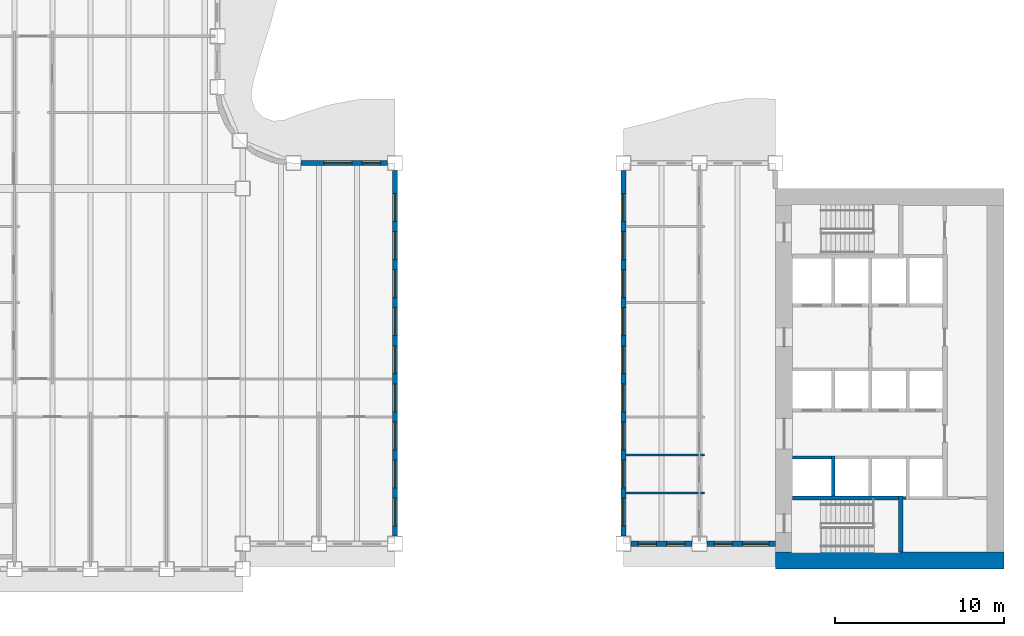
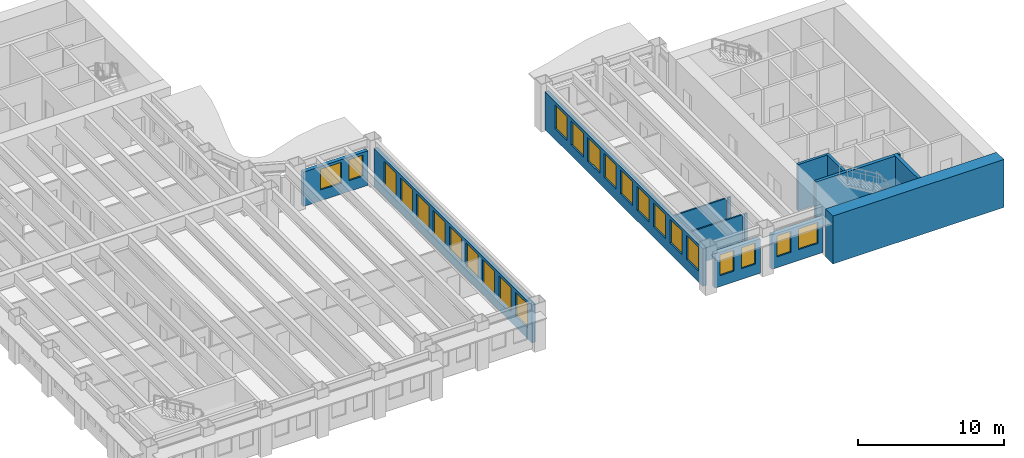
# One storey, part 5 of 13: 24 windows, 15 walls, 24 openings.
"""IFC4 building model written with IfcOpenShell, lengths in metres."""

from ifc_helpers import new_model, si_unit, direction, frame, frame_2d, origin, place, context, subcontext, project, spatial, rectangle, extrude, material, layer, layer_set, type_object, element, fill, save


model = new_model("IFC4")

# Units and contexts
model_context = context("Model", 3, precision=1e-05, world=origin(), true_north=direction((0.0, 1.0)))
body_context = subcontext(model_context, "Body", "Model", "MODEL_VIEW")
ifc_project = project(units=[si_unit("LENGTHUNIT", "METRE"), si_unit("AREAUNIT", "SQUARE_METRE"), si_unit("VOLUMEUNIT", "CUBIC_METRE"), si_unit("PLANEANGLEUNIT", "RADIAN"), si_unit("MASSUNIT", "GRAM", prefix="KILO")], contexts=[model_context])

# Site, building, storey
site_placement = place(None, origin())
site = spatial("IfcSite", under=ifc_project, at=site_placement, CompositionType="ELEMENT")
building_placement = place(site_placement, origin())
building = spatial("IfcBuilding", under=site, at=building_placement, Name="Sennacour Bend Tower", CompositionType="ELEMENT")
storey_placement = place(building_placement, frame((0.0, 0.0, 139.0)))
storey = spatial("IfcBuildingStorey", under=building, at=storey_placement, Name="L31", CompositionType="ELEMENT", Elevation=139.0)

# Walls
ifc_material_1 = material(Name="Concrete C60/75", Category="concrete")
ifc_layer_1 = layer(ifc_material_1, 1.0, Name="Concrete C60/75", Category="concrete")
ifc_layer_set_1 = layer_set([ifc_layer_1], Name="Concrete C60/75")
wall_type_1 = type_object("IfcWallType", Name="Core wall 1000 C60/75", PredefinedType="SHEAR", material=ifc_layer_set_1)
wall_1_placement = place(storey_placement, frame((67.5, 0.5, -0.14990234375), z_axis=(0.0, 0.0, 1.0), x_axis=(-1.0, 0.0, 0.0)))
element("IfcWall", 1, at=wall_1_placement, inside=storey, type_object=wall_type_1, Name="Core A wall L31 S", PredefinedType="SHEAR", context=body_context, shape_type="SweptSolid", body=[
    extrude(rectangle(XDim=13.5, YDim=1.0, at=frame_2d((6.75, 0.0))), origin(), (0.0, 0.0, 1.0), 4.0),
])
ifc_material_2 = material(Name="Plasterboard partition on steel studs", Category="steel")
ifc_layer_2 = layer(ifc_material_2, 0.1201171875, Name="Plasterboard partition on steel studs", Category="steel")
ifc_layer_set_2 = layer_set([ifc_layer_2], Name="Plasterboard partition on steel studs")
wall_type_2 = type_object("IfcWallType", Name="Partition 120", PredefinedType="PARTITIONING", material=ifc_layer_set_2)
wall_2_placement = place(storey_placement, frame((45.14990234375, 4.5, 0.0), z_axis=(0.0, 0.0, 1.0), x_axis=(1.0, 0.0, 0.0)))
element("IfcWall", 2, at=wall_2_placement, inside=storey, type_object=wall_type_2, Name="P-L31-W050aa", PredefinedType="PARTITIONING", context=body_context, shape_type="SweptSolid", body=[
    extrude(rectangle(XDim=4.2900390625, YDim=0.1201171875, at=frame_2d((2.14501953125, 0.0))), origin(), (0.0, 0.0, 1.0), 2.8701171875),
])
wall_3_placement = place(storey_placement, frame((49.56005859375, 4.5, 0.0), z_axis=(0.0, 0.0, 1.0), x_axis=(1.0, 0.0, 0.0)))
element("IfcWall", 3, at=wall_3_placement, inside=storey, type_object=wall_type_2, Name="P-L31-W050ab", PredefinedType="PARTITIONING", context=body_context, shape_type="SweptSolid", body=[
    extrude(rectangle(XDim=0.239990234375, YDim=0.1201171875, at=frame_2d((0.1201171875, 0.0))), origin(), (0.0, 0.0, 1.0), 2.8701171875),
])
wall_4_placement = place(storey_placement, frame((45.14990234375, 6.75, 0.0), z_axis=(0.0, 0.0, 1.0), x_axis=(1.0, 0.0, 0.0)))
element("IfcWall", 4, at=wall_4_placement, inside=storey, type_object=wall_type_2, Name="P-L31-W052aa", PredefinedType="PARTITIONING", context=body_context, shape_type="SweptSolid", body=[
    extrude(rectangle(XDim=4.2900390625, YDim=0.1201171875, at=frame_2d((2.14501953125, 0.0))), origin(), (0.0, 0.0, 1.0), 2.8701171875),
])
wall_5_placement = place(storey_placement, frame((49.56005859375, 6.75, 0.0), z_axis=(0.0, 0.0, 1.0), x_axis=(1.0, 0.0, 0.0)))
element("IfcWall", 5, at=wall_5_placement, inside=storey, type_object=wall_type_2, Name="P-L31-W052ab", PredefinedType="PARTITIONING", context=body_context, shape_type="SweptSolid", body=[
    extrude(rectangle(XDim=0.239990234375, YDim=0.1201171875, at=frame_2d((0.1201171875, 0.0))), origin(), (0.0, 0.0, 1.0), 2.8701171875),
])

# Wall, openings, windows
ifc_material_3 = material(Name="Warm limestone cladding", Category="masonry")
ifc_layer_3 = layer(ifc_material_3, 0.050048828125, Name="Warm limestone cladding", Category="masonry")
ifc_material_4 = material(Name="Precast concrete C40/50", Category="concrete")
ifc_layer_4 = layer(ifc_material_4, 0.25, Name="Precast concrete C40/50", Category="concrete")
ifc_layer_set_3 = layer_set([ifc_layer_3, ifc_layer_4], Name="Precast concrete C40/50 with limestone cladding")
wall_type_3 = type_object("IfcWallType", Name="STONE-CLAD PRECAST SPANDREL 300", PredefinedType="STANDARD", material=ifc_layer_set_3)
wall_6_placement = place(storey_placement, frame((45.449951171875, 1.5, 0.0), z_axis=(0.0, 0.0, 1.0), x_axis=(1.0, 0.0, 0.0)))
wall_6 = element("IfcWall", 6, at=wall_6_placement, inside=storey, type_object=wall_type_3, Name="Stone spandrel and pier wall L31 00.00", PredefinedType="STANDARD", context=body_context, shape_type="SweptSolid", body=[
    extrude(rectangle(XDim=3.60009765625, YDim=0.300048828125, at=frame_2d((1.800048828125, 0.0))), origin(), (0.0, 0.0, 1.0), 2.8701171875),
])
opening_1_placement = place(wall_6_placement, frame((0.39990234375, 0.0, 0.89990234375)))
opening_1 = element("IfcOpeningElement", 7, at=opening_1_placement, cuts=wall_6, Name="Opening W17", PredefinedType="OPENING", context=body_context, shape_type="SweptSolid", body=[
    extrude(rectangle(XDim=1.10009765625, YDim=1.75, at=frame_2d((0.550048828125, 0.875))), frame((0.0, 0.16015625, 0.0), z_axis=(0.0, -1.0, 0.0), x_axis=(1.0, 0.0, 0.0)), (0.0, 0.0, 1.0), 0.320068359375),
])
opening_2_placement = place(wall_6_placement, frame((2.10009765625, 0.0, 0.89990234375)))
opening_2 = element("IfcOpeningElement", 8, at=opening_2_placement, cuts=wall_6, Name="Opening W17", PredefinedType="OPENING", context=body_context, shape_type="SweptSolid", body=[
    extrude(rectangle(XDim=1.10009765625, YDim=1.75, at=frame_2d((0.550048828125, 0.875))), frame((0.0, 0.16015625, 0.0), z_axis=(0.0, -1.0, 0.0), x_axis=(1.0, 0.0, 0.0)), (0.0, 0.0, 1.0), 0.320068359375),
])
ifc_material_5 = material(Name="Clear low-emissivity glass", Category="glass")
window_type_1 = type_object("IfcWindowType", Name="WIN-RIBBON-1100x1750", PartitioningType="SINGLE_PANEL", PredefinedType="WINDOW", material=ifc_material_5)
window_1_placement = place(opening_1_placement, origin())
window_1 = element("IfcWindow", 9, at=window_1_placement, inside=storey, type_object=window_type_1, Name="Ribbon window L31 00.00.0", OverallHeight=1.75, OverallWidth=1.10009765625, PartitioningType="SINGLE_PANEL", PredefinedType="WINDOW", context=body_context, shape_type="SweptSolid", body=[
    extrude(rectangle(XDim=1.10009765625, YDim=1.75, at=frame_2d((0.550048828125, 0.875))), frame((0.0, 0.030029296875, 0.0), z_axis=(0.0, -1.0, 0.0), x_axis=(1.0, 0.0, 0.0)), (0.0, 0.0, 1.0), 0.06005859375),
])
fill(opening_1, window_1)
window_2_placement = place(opening_2_placement, origin())
window_2 = element("IfcWindow", 10, at=window_2_placement, inside=storey, type_object=window_type_1, Name="Ribbon window L31 00.00.1", OverallHeight=1.75, OverallWidth=1.10009765625, PartitioningType="SINGLE_PANEL", PredefinedType="WINDOW", context=body_context, shape_type="SweptSolid", body=[
    extrude(rectangle(XDim=1.10009765625, YDim=1.75, at=frame_2d((0.550048828125, 0.875))), frame((0.0, 0.030029296875, 0.0), z_axis=(0.0, -1.0, 0.0), x_axis=(1.0, 0.0, 0.0)), (0.0, 0.0, 1.0), 0.06005859375),
])
fill(opening_2, window_2)

wall_7_placement = place(storey_placement, frame((49.949951171875, 1.5, 0.0), z_axis=(0.0, 0.0, 1.0), x_axis=(1.0, 0.0, 0.0)))
wall_7 = element("IfcWall", 11, at=wall_7_placement, inside=storey, type_object=wall_type_3, Name="Stone spandrel and pier wall L31 00.01", PredefinedType="STANDARD", context=body_context, shape_type="SweptSolid", body=[
    extrude(rectangle(XDim=4.050048828125, YDim=0.300048828125, at=frame_2d((2.02490234375, 0.0))), origin(), (0.0, 0.0, 1.0), 2.8701171875),
])
opening_3_placement = place(wall_7_placement, frame((0.39990234375, 0.0, 0.89990234375)))
opening_3 = element("IfcOpeningElement", 12, at=opening_3_placement, cuts=wall_7, Name="Opening W17", PredefinedType="OPENING", context=body_context, shape_type="SweptSolid", body=[
    extrude(rectangle(XDim=1.10009765625, YDim=1.75, at=frame_2d((0.550048828125, 0.875))), frame((0.0, 0.16015625, 0.0), z_axis=(0.0, -1.0, 0.0), x_axis=(1.0, 0.0, 0.0)), (0.0, 0.0, 1.0), 0.320068359375),
])
opening_4_placement = place(wall_7_placement, frame((2.10009765625, 0.0, 0.89990234375)))
opening_4 = element("IfcOpeningElement", 13, at=opening_4_placement, cuts=wall_7, Name="Opening W12", PredefinedType="OPENING", context=body_context, shape_type="SweptSolid", body=[
    extrude(rectangle(XDim=1.550048828125, YDim=1.75, at=frame_2d((0.77490234375, 0.875))), frame((0.0, 0.16015625, 0.0), z_axis=(0.0, -1.0, 0.0), x_axis=(1.0, 0.0, 0.0)), (0.0, 0.0, 1.0), 0.320068359375),
])
window_3_placement = place(opening_3_placement, origin())
window_3 = element("IfcWindow", 14, at=window_3_placement, inside=storey, type_object=window_type_1, Name="Ribbon window L31 00.01.0", OverallHeight=1.75, OverallWidth=1.10009765625, PartitioningType="SINGLE_PANEL", PredefinedType="WINDOW", context=body_context, shape_type="SweptSolid", body=[
    extrude(rectangle(XDim=1.10009765625, YDim=1.75, at=frame_2d((0.550048828125, 0.875))), frame((0.0, 0.030029296875, 0.0), z_axis=(0.0, -1.0, 0.0), x_axis=(1.0, 0.0, 0.0)), (0.0, 0.0, 1.0), 0.06005859375),
])
fill(opening_3, window_3)
window_type_2 = type_object("IfcWindowType", Name="WIN-RIBBON-1550x1750", PartitioningType="SINGLE_PANEL", PredefinedType="WINDOW", material=ifc_material_5)
window_4_placement = place(opening_4_placement, origin())
window_4 = element("IfcWindow", 15, at=window_4_placement, inside=storey, type_object=window_type_2, Name="Ribbon window L31 00.01.1", OverallHeight=1.75, OverallWidth=1.550048828125, PartitioningType="SINGLE_PANEL", PredefinedType="WINDOW", context=body_context, shape_type="SweptSolid", body=[
    extrude(rectangle(XDim=1.550048828125, YDim=1.75, at=frame_2d((0.77490234375, 0.875))), frame((0.0, 0.030029296875, 0.0), z_axis=(0.0, -1.0, 0.0), x_axis=(1.0, 0.0, 0.0)), (0.0, 0.0, 1.0), 0.06005859375),
])
fill(opening_4, window_4)

wall_8_placement = place(storey_placement, frame((45.0, 23.550048828125, 0.0), z_axis=(0.0, 0.0, 1.0), x_axis=(0.0, -1.0, 0.0)))
wall_8 = element("IfcWall", 16, at=wall_8_placement, inside=storey, type_object=wall_type_3, Name="Stone spandrel and pier wall L31 07.00", PredefinedType="STANDARD", context=body_context, shape_type="SweptSolid", body=[
    extrude(rectangle(XDim=21.60009765625, YDim=0.300048828125, at=frame_2d((10.800048828125, 0.0))), origin(), (0.0, 0.0, 1.0), 3.14892578125),
])
opening_5_placement = place(wall_8_placement, frame((1.35009765625, 0.0, 0.89990234375)))
opening_5 = element("IfcOpeningElement", 17, at=opening_5_placement, cuts=wall_8, Name="Opening W10", PredefinedType="OPENING", context=body_context, shape_type="SweptSolid", body=[
    extrude(rectangle(XDim=1.64990234375, YDim=2.0, at=frame_2d((0.824951171875, 1.0))), frame((0.0, 0.16015625, 0.0), z_axis=(0.0, -1.0, 0.0), x_axis=(1.0, 0.0, 0.0)), (0.0, 0.0, 1.0), 0.320068359375),
])
opening_6_placement = place(wall_8_placement, frame((3.60009765625, 0.0, 0.89990234375)))
opening_6 = element("IfcOpeningElement", 18, at=opening_6_placement, cuts=wall_8, Name="Opening W10", PredefinedType="OPENING", context=body_context, shape_type="SweptSolid", body=[
    extrude(rectangle(XDim=1.64990234375, YDim=2.0, at=frame_2d((0.824951171875, 1.0))), frame((0.0, 0.16015625, 0.0), z_axis=(0.0, -1.0, 0.0), x_axis=(1.0, 0.0, 0.0)), (0.0, 0.0, 1.0), 0.320068359375),
])
opening_7_placement = place(wall_8_placement, frame((5.85009765625, 0.0, 0.89990234375)))
opening_7 = element("IfcOpeningElement", 19, at=opening_7_placement, cuts=wall_8, Name="Opening W10", PredefinedType="OPENING", context=body_context, shape_type="SweptSolid", body=[
    extrude(rectangle(XDim=1.64990234375, YDim=2.0, at=frame_2d((0.824951171875, 1.0))), frame((0.0, 0.16015625, 0.0), z_axis=(0.0, -1.0, 0.0), x_axis=(1.0, 0.0, 0.0)), (0.0, 0.0, 1.0), 0.320068359375),
])
opening_8_placement = place(wall_8_placement, frame((8.10009765625, 0.0, 0.89990234375)))
opening_8 = element("IfcOpeningElement", 20, at=opening_8_placement, cuts=wall_8, Name="Opening W10", PredefinedType="OPENING", context=body_context, shape_type="SweptSolid", body=[
    extrude(rectangle(XDim=1.64990234375, YDim=2.0, at=frame_2d((0.824951171875, 1.0))), frame((0.0, 0.16015625, 0.0), z_axis=(0.0, -1.0, 0.0), x_axis=(1.0, 0.0, 0.0)), (0.0, 0.0, 1.0), 0.320068359375),
])
opening_9_placement = place(wall_8_placement, frame((10.35009765625, 0.0, 0.89990234375)))
opening_9 = element("IfcOpeningElement", 21, at=opening_9_placement, cuts=wall_8, Name="Opening W10", PredefinedType="OPENING", context=body_context, shape_type="SweptSolid", body=[
    extrude(rectangle(XDim=1.64990234375, YDim=2.0, at=frame_2d((0.824951171875, 1.0))), frame((0.0, 0.16015625, 0.0), z_axis=(0.0, -1.0, 0.0), x_axis=(1.0, 0.0, 0.0)), (0.0, 0.0, 1.0), 0.320068359375),
])
opening_10_placement = place(wall_8_placement, frame((12.60009765625, 0.0, 0.89990234375)))
opening_10 = element("IfcOpeningElement", 22, at=opening_10_placement, cuts=wall_8, Name="Opening W10", PredefinedType="OPENING", context=body_context, shape_type="SweptSolid", body=[
    extrude(rectangle(XDim=1.64990234375, YDim=2.0, at=frame_2d((0.824951171875, 1.0))), frame((0.0, 0.16015625, 0.0), z_axis=(0.0, -1.0, 0.0), x_axis=(1.0, 0.0, 0.0)), (0.0, 0.0, 1.0), 0.320068359375),
])
opening_11_placement = place(wall_8_placement, frame((14.85009765625, 0.0, 0.89990234375)))
opening_11 = element("IfcOpeningElement", 23, at=opening_11_placement, cuts=wall_8, Name="Opening W10", PredefinedType="OPENING", context=body_context, shape_type="SweptSolid", body=[
    extrude(rectangle(XDim=1.64990234375, YDim=2.0, at=frame_2d((0.824951171875, 1.0))), frame((0.0, 0.16015625, 0.0), z_axis=(0.0, -1.0, 0.0), x_axis=(1.0, 0.0, 0.0)), (0.0, 0.0, 1.0), 0.320068359375),
])
opening_12_placement = place(wall_8_placement, frame((17.10009765625, 0.0, 0.89990234375)))
opening_12 = element("IfcOpeningElement", 24, at=opening_12_placement, cuts=wall_8, Name="Opening W10", PredefinedType="OPENING", context=body_context, shape_type="SweptSolid", body=[
    extrude(rectangle(XDim=1.64990234375, YDim=2.0, at=frame_2d((0.824951171875, 1.0))), frame((0.0, 0.16015625, 0.0), z_axis=(0.0, -1.0, 0.0), x_axis=(1.0, 0.0, 0.0)), (0.0, 0.0, 1.0), 0.320068359375),
])
opening_13_placement = place(wall_8_placement, frame((19.35009765625, 0.0, 0.89990234375)))
opening_13 = element("IfcOpeningElement", 25, at=opening_13_placement, cuts=wall_8, Name="Opening W10", PredefinedType="OPENING", context=body_context, shape_type="SweptSolid", body=[
    extrude(rectangle(XDim=1.64990234375, YDim=2.0, at=frame_2d((0.824951171875, 1.0))), frame((0.0, 0.16015625, 0.0), z_axis=(0.0, -1.0, 0.0), x_axis=(1.0, 0.0, 0.0)), (0.0, 0.0, 1.0), 0.320068359375),
])
window_type_3 = type_object("IfcWindowType", Name="WIN-RIBBON-1650x2000", PartitioningType="SINGLE_PANEL", PredefinedType="WINDOW", material=ifc_material_5)
window_5_placement = place(opening_5_placement, origin())
window_5 = element("IfcWindow", 26, at=window_5_placement, inside=storey, type_object=window_type_3, Name="Ribbon window L31 07.00.0", OverallHeight=2.0, OverallWidth=1.64990234375, PartitioningType="SINGLE_PANEL", PredefinedType="WINDOW", context=body_context, shape_type="SweptSolid", body=[
    extrude(rectangle(XDim=1.64990234375, YDim=2.0, at=frame_2d((0.824951171875, 1.0))), frame((0.0, 0.030029296875, 0.0), z_axis=(0.0, -1.0, 0.0), x_axis=(1.0, 0.0, 0.0)), (0.0, 0.0, 1.0), 0.06005859375),
])
fill(opening_5, window_5)
window_6_placement = place(opening_6_placement, origin())
window_6 = element("IfcWindow", 27, at=window_6_placement, inside=storey, type_object=window_type_3, Name="Ribbon window L31 07.00.1", OverallHeight=2.0, OverallWidth=1.64990234375, PartitioningType="SINGLE_PANEL", PredefinedType="WINDOW", context=body_context, shape_type="SweptSolid", body=[
    extrude(rectangle(XDim=1.64990234375, YDim=2.0, at=frame_2d((0.824951171875, 1.0))), frame((0.0, 0.030029296875, 0.0), z_axis=(0.0, -1.0, 0.0), x_axis=(1.0, 0.0, 0.0)), (0.0, 0.0, 1.0), 0.06005859375),
])
fill(opening_6, window_6)
window_7_placement = place(opening_7_placement, origin())
window_7 = element("IfcWindow", 28, at=window_7_placement, inside=storey, type_object=window_type_3, Name="Ribbon window L31 07.00.2", OverallHeight=2.0, OverallWidth=1.64990234375, PartitioningType="SINGLE_PANEL", PredefinedType="WINDOW", context=body_context, shape_type="SweptSolid", body=[
    extrude(rectangle(XDim=1.64990234375, YDim=2.0, at=frame_2d((0.824951171875, 1.0))), frame((0.0, 0.030029296875, 0.0), z_axis=(0.0, -1.0, 0.0), x_axis=(1.0, 0.0, 0.0)), (0.0, 0.0, 1.0), 0.06005859375),
])
fill(opening_7, window_7)
window_8_placement = place(opening_8_placement, origin())
window_8 = element("IfcWindow", 29, at=window_8_placement, inside=storey, type_object=window_type_3, Name="Ribbon window L31 07.00.3", OverallHeight=2.0, OverallWidth=1.64990234375, PartitioningType="SINGLE_PANEL", PredefinedType="WINDOW", context=body_context, shape_type="SweptSolid", body=[
    extrude(rectangle(XDim=1.64990234375, YDim=2.0, at=frame_2d((0.824951171875, 1.0))), frame((0.0, 0.030029296875, 0.0), z_axis=(0.0, -1.0, 0.0), x_axis=(1.0, 0.0, 0.0)), (0.0, 0.0, 1.0), 0.06005859375),
])
fill(opening_8, window_8)
window_9_placement = place(opening_9_placement, origin())
window_9 = element("IfcWindow", 30, at=window_9_placement, inside=storey, type_object=window_type_3, Name="Ribbon window L31 07.00.4", OverallHeight=2.0, OverallWidth=1.64990234375, PartitioningType="SINGLE_PANEL", PredefinedType="WINDOW", context=body_context, shape_type="SweptSolid", body=[
    extrude(rectangle(XDim=1.64990234375, YDim=2.0, at=frame_2d((0.824951171875, 1.0))), frame((0.0, 0.030029296875, 0.0), z_axis=(0.0, -1.0, 0.0), x_axis=(1.0, 0.0, 0.0)), (0.0, 0.0, 1.0), 0.06005859375),
])
fill(opening_9, window_9)
window_10_placement = place(opening_10_placement, origin())
window_10 = element("IfcWindow", 31, at=window_10_placement, inside=storey, type_object=window_type_3, Name="Ribbon window L31 07.00.5", OverallHeight=2.0, OverallWidth=1.64990234375, PartitioningType="SINGLE_PANEL", PredefinedType="WINDOW", context=body_context, shape_type="SweptSolid", body=[
    extrude(rectangle(XDim=1.64990234375, YDim=2.0, at=frame_2d((0.824951171875, 1.0))), frame((0.0, 0.030029296875, 0.0), z_axis=(0.0, -1.0, 0.0), x_axis=(1.0, 0.0, 0.0)), (0.0, 0.0, 1.0), 0.06005859375),
])
fill(opening_10, window_10)
window_11_placement = place(opening_11_placement, origin())
window_11 = element("IfcWindow", 32, at=window_11_placement, inside=storey, type_object=window_type_3, Name="Ribbon window L31 07.00.6", OverallHeight=2.0, OverallWidth=1.64990234375, PartitioningType="SINGLE_PANEL", PredefinedType="WINDOW", context=body_context, shape_type="SweptSolid", body=[
    extrude(rectangle(XDim=1.64990234375, YDim=2.0, at=frame_2d((0.824951171875, 1.0))), frame((0.0, 0.030029296875, 0.0), z_axis=(0.0, -1.0, 0.0), x_axis=(1.0, 0.0, 0.0)), (0.0, 0.0, 1.0), 0.06005859375),
])
fill(opening_11, window_11)
window_12_placement = place(opening_12_placement, origin())
window_12 = element("IfcWindow", 33, at=window_12_placement, inside=storey, type_object=window_type_3, Name="Ribbon window L31 07.00.7", OverallHeight=2.0, OverallWidth=1.64990234375, PartitioningType="SINGLE_PANEL", PredefinedType="WINDOW", context=body_context, shape_type="SweptSolid", body=[
    extrude(rectangle(XDim=1.64990234375, YDim=2.0, at=frame_2d((0.824951171875, 1.0))), frame((0.0, 0.030029296875, 0.0), z_axis=(0.0, -1.0, 0.0), x_axis=(1.0, 0.0, 0.0)), (0.0, 0.0, 1.0), 0.06005859375),
])
fill(opening_12, window_12)
window_13_placement = place(opening_13_placement, origin())
window_13 = element("IfcWindow", 34, at=window_13_placement, inside=storey, type_object=window_type_3, Name="Ribbon window L31 07.00.8", OverallHeight=2.0, OverallWidth=1.64990234375, PartitioningType="SINGLE_PANEL", PredefinedType="WINDOW", context=body_context, shape_type="SweptSolid", body=[
    extrude(rectangle(XDim=1.64990234375, YDim=2.0, at=frame_2d((0.824951171875, 1.0))), frame((0.0, 0.030029296875, 0.0), z_axis=(0.0, -1.0, 0.0), x_axis=(1.0, 0.0, 0.0)), (0.0, 0.0, 1.0), 0.06005859375),
])
fill(opening_13, window_13)

wall_9_placement = place(storey_placement, frame((31.050048828125, 24.0, 0.0), z_axis=(0.0, 0.0, 1.0), x_axis=(-1.0, 0.0, 0.0)))
wall_9 = element("IfcWall", 35, at=wall_9_placement, inside=storey, type_object=wall_type_3, Name="Stone spandrel and pier wall L31 08.00", PredefinedType="STANDARD", context=body_context, shape_type="SweptSolid", body=[
    extrude(rectangle(XDim=5.10009765625, YDim=0.300048828125, at=frame_2d((2.550048828125, 0.0))), origin(), (0.0, 0.0, 1.0), 2.8701171875),
])
opening_14_placement = place(wall_9_placement, frame((0.39990234375, 0.0, 0.89990234375)))
opening_14 = element("IfcOpeningElement", 36, at=opening_14_placement, cuts=wall_9, Name="Opening W17", PredefinedType="OPENING", context=body_context, shape_type="SweptSolid", body=[
    extrude(rectangle(XDim=1.10009765625, YDim=1.75, at=frame_2d((0.550048828125, 0.875))), frame((0.0, 0.16015625, 0.0), z_axis=(0.0, -1.0, 0.0), x_axis=(1.0, 0.0, 0.0)), (0.0, 0.0, 1.0), 0.320068359375),
])
opening_15_placement = place(wall_9_placement, frame((2.10009765625, 0.0, 0.89990234375)))
opening_15 = element("IfcOpeningElement", 37, at=opening_15_placement, cuts=wall_9, Name="Opening W18", PredefinedType="OPENING", context=body_context, shape_type="SweptSolid", body=[
    extrude(rectangle(XDim=1.64990234375, YDim=1.75, at=frame_2d((0.824951171875, 0.875))), frame((0.0, 0.16015625, 0.0), z_axis=(0.0, -1.0, 0.0), x_axis=(1.0, 0.0, 0.0)), (0.0, 0.0, 1.0), 0.320068359375),
])
window_14_placement = place(opening_14_placement, origin())
window_14 = element("IfcWindow", 38, at=window_14_placement, inside=storey, type_object=window_type_1, Name="Ribbon window L31 08.00.0", OverallHeight=1.75, OverallWidth=1.10009765625, PartitioningType="SINGLE_PANEL", PredefinedType="WINDOW", context=body_context, shape_type="SweptSolid", body=[
    extrude(rectangle(XDim=1.10009765625, YDim=1.75, at=frame_2d((0.550048828125, 0.875))), frame((0.0, 0.030029296875, 0.0), z_axis=(0.0, -1.0, 0.0), x_axis=(1.0, 0.0, 0.0)), (0.0, 0.0, 1.0), 0.06005859375),
])
fill(opening_14, window_14)
window_type_4 = type_object("IfcWindowType", Name="WIN-RIBBON-1650x1750", PartitioningType="SINGLE_PANEL", PredefinedType="WINDOW", material=ifc_material_5)
window_15_placement = place(opening_15_placement, origin())
window_15 = element("IfcWindow", 39, at=window_15_placement, inside=storey, type_object=window_type_4, Name="Ribbon window L31 08.00.1", OverallHeight=1.75, OverallWidth=1.64990234375, PartitioningType="SINGLE_PANEL", PredefinedType="WINDOW", context=body_context, shape_type="SweptSolid", body=[
    extrude(rectangle(XDim=1.64990234375, YDim=1.75, at=frame_2d((0.824951171875, 0.875))), frame((0.0, 0.030029296875, 0.0), z_axis=(0.0, -1.0, 0.0), x_axis=(1.0, 0.0, 0.0)), (0.0, 0.0, 1.0), 0.06005859375),
])
fill(opening_15, window_15)

wall_10_placement = place(storey_placement, frame((31.5, 1.949951171875, 0.0), z_axis=(0.0, 0.0, 1.0), x_axis=(0.0, 1.0, 0.0)))
wall_10 = element("IfcWall", 40, at=wall_10_placement, inside=storey, type_object=wall_type_3, Name="Stone spandrel and pier wall L31 27.00", PredefinedType="STANDARD", context=body_context, shape_type="SweptSolid", body=[
    extrude(rectangle(XDim=21.60009765625, YDim=0.300048828125, at=frame_2d((10.800048828125, 0.0))), origin(), (0.0, 0.0, 1.0), 3.14892578125),
])
opening_16_placement = place(wall_10_placement, frame((0.60009765625, 0.0, 0.89990234375)))
opening_16 = element("IfcOpeningElement", 41, at=opening_16_placement, cuts=wall_10, Name="Opening W10", PredefinedType="OPENING", context=body_context, shape_type="SweptSolid", body=[
    extrude(rectangle(XDim=1.64990234375, YDim=2.0, at=frame_2d((0.824951171875, 1.0))), frame((0.0, 0.16015625, 0.0), z_axis=(0.0, -1.0, 0.0), x_axis=(1.0, 0.0, 0.0)), (0.0, 0.0, 1.0), 0.320068359375),
])
opening_17_placement = place(wall_10_placement, frame((2.85009765625, 0.0, 0.89990234375)))
opening_17 = element("IfcOpeningElement", 42, at=opening_17_placement, cuts=wall_10, Name="Opening W10", PredefinedType="OPENING", context=body_context, shape_type="SweptSolid", body=[
    extrude(rectangle(XDim=1.64990234375, YDim=2.0, at=frame_2d((0.824951171875, 1.0))), frame((0.0, 0.16015625, 0.0), z_axis=(0.0, -1.0, 0.0), x_axis=(1.0, 0.0, 0.0)), (0.0, 0.0, 1.0), 0.320068359375),
])
opening_18_placement = place(wall_10_placement, frame((5.10009765625, 0.0, 0.89990234375)))
opening_18 = element("IfcOpeningElement", 43, at=opening_18_placement, cuts=wall_10, Name="Opening W10", PredefinedType="OPENING", context=body_context, shape_type="SweptSolid", body=[
    extrude(rectangle(XDim=1.64990234375, YDim=2.0, at=frame_2d((0.824951171875, 1.0))), frame((0.0, 0.16015625, 0.0), z_axis=(0.0, -1.0, 0.0), x_axis=(1.0, 0.0, 0.0)), (0.0, 0.0, 1.0), 0.320068359375),
])
opening_19_placement = place(wall_10_placement, frame((7.35009765625, 0.0, 0.89990234375)))
opening_19 = element("IfcOpeningElement", 44, at=opening_19_placement, cuts=wall_10, Name="Opening W10", PredefinedType="OPENING", context=body_context, shape_type="SweptSolid", body=[
    extrude(rectangle(XDim=1.64990234375, YDim=2.0, at=frame_2d((0.824951171875, 1.0))), frame((0.0, 0.16015625, 0.0), z_axis=(0.0, -1.0, 0.0), x_axis=(1.0, 0.0, 0.0)), (0.0, 0.0, 1.0), 0.320068359375),
])
opening_20_placement = place(wall_10_placement, frame((9.60009765625, 0.0, 0.89990234375)))
opening_20 = element("IfcOpeningElement", 45, at=opening_20_placement, cuts=wall_10, Name="Opening W10", PredefinedType="OPENING", context=body_context, shape_type="SweptSolid", body=[
    extrude(rectangle(XDim=1.64990234375, YDim=2.0, at=frame_2d((0.824951171875, 1.0))), frame((0.0, 0.16015625, 0.0), z_axis=(0.0, -1.0, 0.0), x_axis=(1.0, 0.0, 0.0)), (0.0, 0.0, 1.0), 0.320068359375),
])
opening_21_placement = place(wall_10_placement, frame((11.85009765625, 0.0, 0.89990234375)))
opening_21 = element("IfcOpeningElement", 46, at=opening_21_placement, cuts=wall_10, Name="Opening W10", PredefinedType="OPENING", context=body_context, shape_type="SweptSolid", body=[
    extrude(rectangle(XDim=1.64990234375, YDim=2.0, at=frame_2d((0.824951171875, 1.0))), frame((0.0, 0.16015625, 0.0), z_axis=(0.0, -1.0, 0.0), x_axis=(1.0, 0.0, 0.0)), (0.0, 0.0, 1.0), 0.320068359375),
])
opening_22_placement = place(wall_10_placement, frame((14.10009765625, 0.0, 0.89990234375)))
opening_22 = element("IfcOpeningElement", 47, at=opening_22_placement, cuts=wall_10, Name="Opening W10", PredefinedType="OPENING", context=body_context, shape_type="SweptSolid", body=[
    extrude(rectangle(XDim=1.64990234375, YDim=2.0, at=frame_2d((0.824951171875, 1.0))), frame((0.0, 0.16015625, 0.0), z_axis=(0.0, -1.0, 0.0), x_axis=(1.0, 0.0, 0.0)), (0.0, 0.0, 1.0), 0.320068359375),
])
opening_23_placement = place(wall_10_placement, frame((16.35009765625, 0.0, 0.89990234375)))
opening_23 = element("IfcOpeningElement", 48, at=opening_23_placement, cuts=wall_10, Name="Opening W10", PredefinedType="OPENING", context=body_context, shape_type="SweptSolid", body=[
    extrude(rectangle(XDim=1.64990234375, YDim=2.0, at=frame_2d((0.824951171875, 1.0))), frame((0.0, 0.16015625, 0.0), z_axis=(0.0, -1.0, 0.0), x_axis=(1.0, 0.0, 0.0)), (0.0, 0.0, 1.0), 0.320068359375),
])
opening_24_placement = place(wall_10_placement, frame((18.60009765625, 0.0, 0.89990234375)))
opening_24 = element("IfcOpeningElement", 49, at=opening_24_placement, cuts=wall_10, Name="Opening W10", PredefinedType="OPENING", context=body_context, shape_type="SweptSolid", body=[
    extrude(rectangle(XDim=1.64990234375, YDim=2.0, at=frame_2d((0.824951171875, 1.0))), frame((0.0, 0.16015625, 0.0), z_axis=(0.0, -1.0, 0.0), x_axis=(1.0, 0.0, 0.0)), (0.0, 0.0, 1.0), 0.320068359375),
])
window_16_placement = place(opening_16_placement, origin())
window_16 = element("IfcWindow", 50, at=window_16_placement, inside=storey, type_object=window_type_3, Name="Ribbon window L31 27.00.0", OverallHeight=2.0, OverallWidth=1.64990234375, PartitioningType="SINGLE_PANEL", PredefinedType="WINDOW", context=body_context, shape_type="SweptSolid", body=[
    extrude(rectangle(XDim=1.64990234375, YDim=2.0, at=frame_2d((0.824951171875, 1.0))), frame((0.0, 0.030029296875, 0.0), z_axis=(0.0, -1.0, 0.0), x_axis=(1.0, 0.0, 0.0)), (0.0, 0.0, 1.0), 0.06005859375),
])
fill(opening_16, window_16)
window_17_placement = place(opening_17_placement, origin())
window_17 = element("IfcWindow", 51, at=window_17_placement, inside=storey, type_object=window_type_3, Name="Ribbon window L31 27.00.1", OverallHeight=2.0, OverallWidth=1.64990234375, PartitioningType="SINGLE_PANEL", PredefinedType="WINDOW", context=body_context, shape_type="SweptSolid", body=[
    extrude(rectangle(XDim=1.64990234375, YDim=2.0, at=frame_2d((0.824951171875, 1.0))), frame((0.0, 0.030029296875, 0.0), z_axis=(0.0, -1.0, 0.0), x_axis=(1.0, 0.0, 0.0)), (0.0, 0.0, 1.0), 0.06005859375),
])
fill(opening_17, window_17)
window_18_placement = place(opening_18_placement, origin())
window_18 = element("IfcWindow", 52, at=window_18_placement, inside=storey, type_object=window_type_3, Name="Ribbon window L31 27.00.2", OverallHeight=2.0, OverallWidth=1.64990234375, PartitioningType="SINGLE_PANEL", PredefinedType="WINDOW", context=body_context, shape_type="SweptSolid", body=[
    extrude(rectangle(XDim=1.64990234375, YDim=2.0, at=frame_2d((0.824951171875, 1.0))), frame((0.0, 0.030029296875, 0.0), z_axis=(0.0, -1.0, 0.0), x_axis=(1.0, 0.0, 0.0)), (0.0, 0.0, 1.0), 0.06005859375),
])
fill(opening_18, window_18)
window_19_placement = place(opening_19_placement, origin())
window_19 = element("IfcWindow", 53, at=window_19_placement, inside=storey, type_object=window_type_3, Name="Ribbon window L31 27.00.3", OverallHeight=2.0, OverallWidth=1.64990234375, PartitioningType="SINGLE_PANEL", PredefinedType="WINDOW", context=body_context, shape_type="SweptSolid", body=[
    extrude(rectangle(XDim=1.64990234375, YDim=2.0, at=frame_2d((0.824951171875, 1.0))), frame((0.0, 0.030029296875, 0.0), z_axis=(0.0, -1.0, 0.0), x_axis=(1.0, 0.0, 0.0)), (0.0, 0.0, 1.0), 0.06005859375),
])
fill(opening_19, window_19)
window_20_placement = place(opening_20_placement, origin())
window_20 = element("IfcWindow", 54, at=window_20_placement, inside=storey, type_object=window_type_3, Name="Ribbon window L31 27.00.4", OverallHeight=2.0, OverallWidth=1.64990234375, PartitioningType="SINGLE_PANEL", PredefinedType="WINDOW", context=body_context, shape_type="SweptSolid", body=[
    extrude(rectangle(XDim=1.64990234375, YDim=2.0, at=frame_2d((0.824951171875, 1.0))), frame((0.0, 0.030029296875, 0.0), z_axis=(0.0, -1.0, 0.0), x_axis=(1.0, 0.0, 0.0)), (0.0, 0.0, 1.0), 0.06005859375),
])
fill(opening_20, window_20)
window_21_placement = place(opening_21_placement, origin())
window_21 = element("IfcWindow", 55, at=window_21_placement, inside=storey, type_object=window_type_3, Name="Ribbon window L31 27.00.5", OverallHeight=2.0, OverallWidth=1.64990234375, PartitioningType="SINGLE_PANEL", PredefinedType="WINDOW", context=body_context, shape_type="SweptSolid", body=[
    extrude(rectangle(XDim=1.64990234375, YDim=2.0, at=frame_2d((0.824951171875, 1.0))), frame((0.0, 0.030029296875, 0.0), z_axis=(0.0, -1.0, 0.0), x_axis=(1.0, 0.0, 0.0)), (0.0, 0.0, 1.0), 0.06005859375),
])
fill(opening_21, window_21)
window_22_placement = place(opening_22_placement, origin())
window_22 = element("IfcWindow", 56, at=window_22_placement, inside=storey, type_object=window_type_3, Name="Ribbon window L31 27.00.6", OverallHeight=2.0, OverallWidth=1.64990234375, PartitioningType="SINGLE_PANEL", PredefinedType="WINDOW", context=body_context, shape_type="SweptSolid", body=[
    extrude(rectangle(XDim=1.64990234375, YDim=2.0, at=frame_2d((0.824951171875, 1.0))), frame((0.0, 0.030029296875, 0.0), z_axis=(0.0, -1.0, 0.0), x_axis=(1.0, 0.0, 0.0)), (0.0, 0.0, 1.0), 0.06005859375),
])
fill(opening_22, window_22)
window_23_placement = place(opening_23_placement, origin())
window_23 = element("IfcWindow", 57, at=window_23_placement, inside=storey, type_object=window_type_3, Name="Ribbon window L31 27.00.7", OverallHeight=2.0, OverallWidth=1.64990234375, PartitioningType="SINGLE_PANEL", PredefinedType="WINDOW", context=body_context, shape_type="SweptSolid", body=[
    extrude(rectangle(XDim=1.64990234375, YDim=2.0, at=frame_2d((0.824951171875, 1.0))), frame((0.0, 0.030029296875, 0.0), z_axis=(0.0, -1.0, 0.0), x_axis=(1.0, 0.0, 0.0)), (0.0, 0.0, 1.0), 0.06005859375),
])
fill(opening_23, window_23)
window_24_placement = place(opening_24_placement, origin())
window_24 = element("IfcWindow", 58, at=window_24_placement, inside=storey, type_object=window_type_3, Name="Ribbon window L31 27.00.8", OverallHeight=2.0, OverallWidth=1.64990234375, PartitioningType="SINGLE_PANEL", PredefinedType="WINDOW", context=body_context, shape_type="SweptSolid", body=[
    extrude(rectangle(XDim=1.64990234375, YDim=2.0, at=frame_2d((0.824951171875, 1.0))), frame((0.0, 0.030029296875, 0.0), z_axis=(0.0, -1.0, 0.0), x_axis=(1.0, 0.0, 0.0)), (0.0, 0.0, 1.0), 0.06005859375),
])
fill(opening_24, window_24)

# Walls
ifc_material_6 = material(Name="Concrete C50/60", Category="concrete")
ifc_layer_5 = layer(ifc_material_6, 0.199951171875, Name="Concrete C50/60", Category="concrete")
ifc_layer_set_4 = layer_set([ifc_layer_5], Name="Concrete C50/60")
wall_type_4 = type_object("IfcWallType", Name="Shaft wall 200", PredefinedType="SOLIDWALL", material=ifc_layer_set_4)
wall_11_placement = place(storey_placement, frame((57.39990234375, 4.324951171875, 0.0), z_axis=(0.0, 0.0, 1.0), x_axis=(0.0, 1.0, 0.0)))
element("IfcWall", 59, at=wall_11_placement, inside=storey, type_object=wall_type_4, Name="P-L31-W028", PredefinedType="SOLIDWALL", context=body_context, shape_type="SweptSolid", body=[
    extrude(rectangle(XDim=2.375, YDim=0.199951171875, at=frame_2d((1.1875, 0.0))), origin(), (0.0, 0.0, 1.0), 3.85009765625),
])
wall_12_placement = place(storey_placement, frame((61.52490234375, 4.199951171875, 0.0), z_axis=(0.0, 0.0, 1.0), x_axis=(1.0, 0.0, 0.0)))
element("IfcWall", 60, at=wall_12_placement, inside=storey, type_object=wall_type_4, Name="P-L31-W048a", PredefinedType="SOLIDWALL", context=body_context, shape_type="SweptSolid", body=[
    extrude(rectangle(XDim=0.175048828125, YDim=0.199951171875, at=frame_2d((0.08740234375, 0.0))), origin(), (0.0, 0.0, 1.0), 3.85009765625),
])
wall_13_placement = place(storey_placement, frame((55.0, 6.60009765625, 0.0), z_axis=(0.0, 0.0, 1.0), x_axis=(1.0, 0.0, 0.0)))
element("IfcWall", 61, at=wall_13_placement, inside=storey, type_object=wall_type_4, Name="P-L31-W051a", PredefinedType="SOLIDWALL", context=body_context, shape_type="SweptSolid", body=[
    extrude(rectangle(XDim=2.300048828125, YDim=0.199951171875, at=frame_2d((1.14990234375, 0.0))), origin(), (0.0, 0.0, 1.0), 3.85009765625),
])
ifc_layer_6 = layer(ifc_material_1, 0.25, Name="Concrete C60/75", Category="concrete")
ifc_layer_set_5 = layer_set([ifc_layer_6], Name="Concrete C60/75")
wall_type_5 = type_object("IfcWallType", Name="Stair wall 250", PredefinedType="SHEAR", material=ifc_layer_set_5)
wall_14_placement = place(storey_placement, frame((61.39990234375, 1.0, 0.0), z_axis=(0.0, 0.0, 1.0), x_axis=(0.0, 1.0, 0.0)))
element("IfcWall", 62, at=wall_14_placement, inside=storey, type_object=wall_type_5, Name="P-L31-W035", PredefinedType="SHEAR", context=body_context, shape_type="SweptSolid", body=[
    extrude(rectangle(XDim=3.324951171875, YDim=0.25, at=frame_2d((1.66259765625, 0.0))), origin(), (0.0, 0.0, 1.0), 3.85009765625),
])
wall_15_placement = place(storey_placement, frame((55.0, 4.199951171875, 0.0), z_axis=(0.0, 0.0, 1.0), x_axis=(1.0, 0.0, 0.0)))
element("IfcWall", 63, at=wall_15_placement, inside=storey, type_object=wall_type_5, Name="P-L31-W047", PredefinedType="SHEAR", context=body_context, shape_type="SweptSolid", body=[
    extrude(rectangle(XDim=6.27490234375, YDim=0.25, at=frame_2d((3.137451171875, 0.0))), origin(), (0.0, 0.0, 1.0), 3.85009765625),
])

save(model, "model.ifc")
